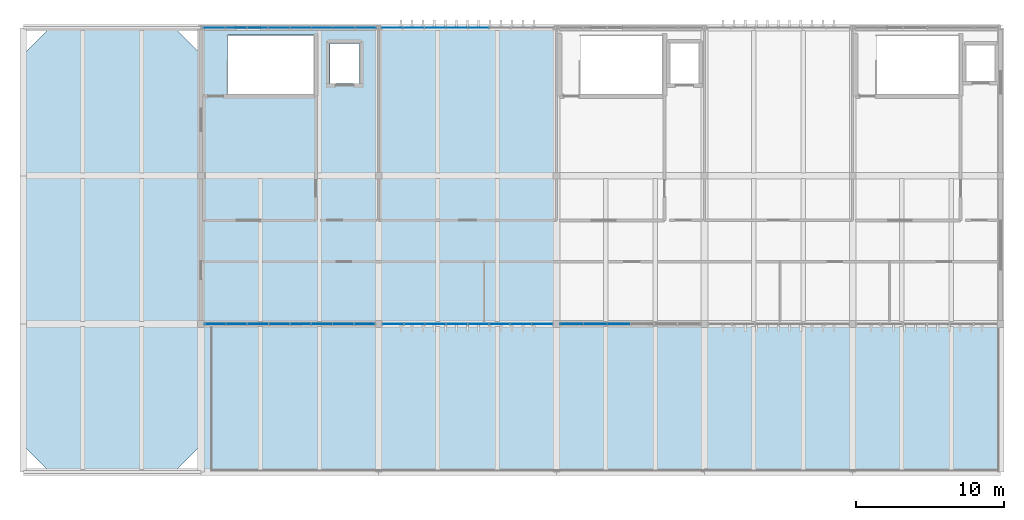
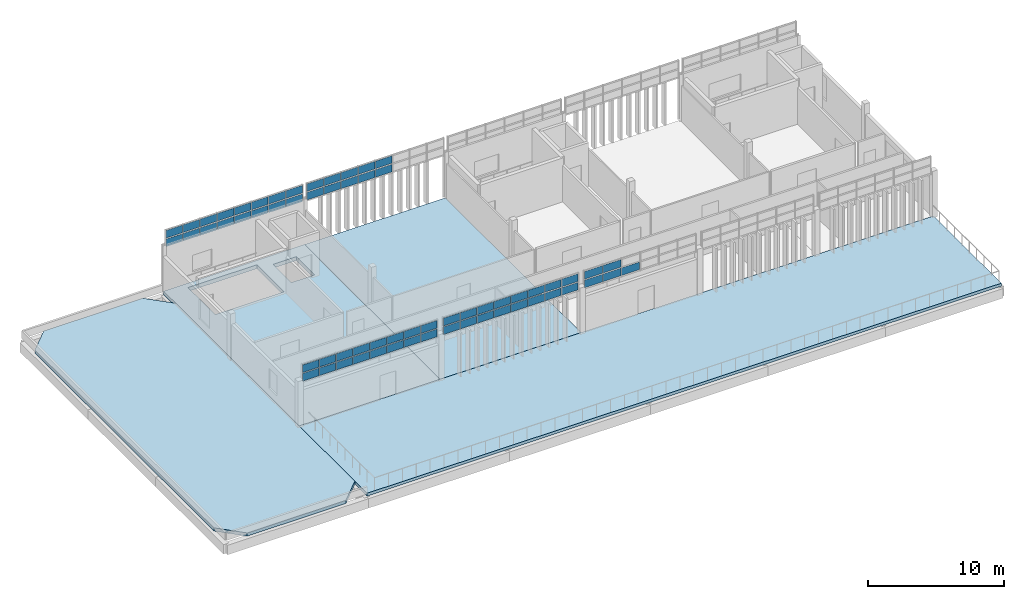
# One storey, part 31 of 36: 63 plates, 4 slabs, 5 elements without a shape of their own.
"""IFC4 building model written with IfcOpenShell, lengths in metres."""

from ifc_helpers import new_model, si_unit, direction, frame, origin, origin_2d, place, context, subcontext, project, spatial, polyline, rectangle, outline, extrude, material, layer, layer_set, type_object, element, aggregate, save


model = new_model("IFC4")

# Units and contexts
model_context = context("Model", 3, precision=1e-05, world=origin(), true_north=direction((0.0, 1.0)))
body_context = subcontext(model_context, "Body", "Model", "MODEL_VIEW")
ifc_project = project(units=[si_unit("LENGTHUNIT", "METRE"), si_unit("AREAUNIT", "SQUARE_METRE"), si_unit("VOLUMEUNIT", "CUBIC_METRE"), si_unit("PLANEANGLEUNIT", "RADIAN"), si_unit("MASSUNIT", "GRAM", prefix="KILO")], contexts=[model_context])

# Site, building, storey
site_placement = place(None, origin())
site = spatial("IfcSite", under=ifc_project, at=site_placement, CompositionType="ELEMENT")
building_placement = place(site_placement, origin())
building = spatial("IfcBuilding", under=site, at=building_placement, Name="Mersad Railyard Sports Hall", CompositionType="ELEMENT")
storey_placement = place(building_placement, frame((0.0, 0.0, 21.60009765625)))
storey = spatial("IfcBuildingStorey", under=building, at=storey_placement, Name="L05", CompositionType="ELEMENT", Elevation=21.60009765625)

# Curtain wall, plates
ifc_material_1 = material(Name="Aluminium 6063-T6", Category="aluminium")
ifc_layer_1 = layer(ifc_material_1, 0.159912109375)
ifc_layer_set_1 = layer_set([ifc_layer_1], Name="Aluminium 6063-T6")
curtain_wall_type_1 = type_object("IfcCurtainWallType", Name="ARC-CW-CW48", PredefinedType="USERDEFINED", material=ifc_layer_set_1)
curtain_wall_1_placement = place(storey_placement, origin())
curtain_wall_1 = element("IfcCurtainWall", 1, at=curtain_wall_1_placement, inside=storey, type_object=curtain_wall_type_1, Name="Curtain wall CW48-0128", ObjectType="CURTAIN WALL", PredefinedType="USERDEFINED")
ifc_material_2 = material(Name="Solar-control glass", Category="glass")
ifc_layer_2 = layer(ifc_material_2, 0.028076171875)
ifc_layer_set_2 = layer_set([ifc_layer_2], Name="Solar-control glass")
plate_type = type_object("IfcPlateType", Name="ARC-CW-PNL01", PredefinedType="CURTAIN_PANEL", material=ifc_layer_set_2)
plate_1_placement = place(storey_placement, frame((78.03564453125, 95.0, 3.934814453125), z_axis=(0.0, 0.0, 1.0), x_axis=(-1.0, 0.0, 0.0)))
plate_1 = element("IfcPlate", 2, at=plate_1_placement, type_object=plate_type, Name="CW48 Glazed panel 1-1", PredefinedType="CURTAIN_PANEL", context=body_context, shape_type="SweptSolid", body=[
    extrude(rectangle(XDim=1.394775390625, YDim=0.028076171875, at=origin_2d()), origin(), (0.0, 0.0, 1.0), 0.68505859375),
])
plate_2_placement = place(storey_placement, frame((78.03564453125, 95.0, 4.7099609375), z_axis=(0.0, 0.0, 1.0), x_axis=(-1.0, 0.0, 0.0)))
plate_2 = element("IfcPlate", 3, at=plate_2_placement, type_object=plate_type, Name="CW48 Glazed panel 1-2", PredefinedType="CURTAIN_PANEL", context=body_context, shape_type="SweptSolid", body=[
    extrude(rectangle(XDim=1.394775390625, YDim=0.028076171875, at=origin_2d()), origin(), (0.0, 0.0, 1.0), 0.68505859375),
])
plate_3_placement = place(storey_placement, frame((76.596923828125, 95.0, 3.934814453125), z_axis=(0.0, 0.0, 1.0), x_axis=(-1.0, 0.0, 0.0)))
plate_3 = element("IfcPlate", 4, at=plate_3_placement, type_object=plate_type, Name="CW48 Glazed panel 2-1", PredefinedType="CURTAIN_PANEL", context=body_context, shape_type="SweptSolid", body=[
    extrude(rectangle(XDim=1.394775390625, YDim=0.028076171875, at=origin_2d()), origin(), (0.0, 0.0, 1.0), 0.68505859375),
])
plate_4_placement = place(storey_placement, frame((76.596923828125, 95.0, 4.7099609375), z_axis=(0.0, 0.0, 1.0), x_axis=(-1.0, 0.0, 0.0)))
plate_4 = element("IfcPlate", 5, at=plate_4_placement, type_object=plate_type, Name="CW48 Glazed panel 2-2", PredefinedType="CURTAIN_PANEL", context=body_context, shape_type="SweptSolid", body=[
    extrude(rectangle(XDim=1.394775390625, YDim=0.028076171875, at=origin_2d()), origin(), (0.0, 0.0, 1.0), 0.68505859375),
])
plate_5_placement = place(storey_placement, frame((75.158203125, 95.0, 3.934814453125), z_axis=(0.0, 0.0, 1.0), x_axis=(-1.0, 0.0, 0.0)))
plate_5 = element("IfcPlate", 6, at=plate_5_placement, type_object=plate_type, Name="CW48 Glazed panel 3-1", PredefinedType="CURTAIN_PANEL", context=body_context, shape_type="SweptSolid", body=[
    extrude(rectangle(XDim=1.394775390625, YDim=0.028076171875, at=origin_2d()), origin(), (0.0, 0.0, 1.0), 0.68505859375),
])
plate_6_placement = place(storey_placement, frame((75.158203125, 95.0, 4.7099609375), z_axis=(0.0, 0.0, 1.0), x_axis=(-1.0, 0.0, 0.0)))
plate_6 = element("IfcPlate", 7, at=plate_6_placement, type_object=plate_type, Name="CW48 Glazed panel 3-2", PredefinedType="CURTAIN_PANEL", context=body_context, shape_type="SweptSolid", body=[
    extrude(rectangle(XDim=1.394775390625, YDim=0.028076171875, at=origin_2d()), origin(), (0.0, 0.0, 1.0), 0.68505859375),
])
plate_7_placement = place(storey_placement, frame((73.719482421875, 95.0, 3.934814453125), z_axis=(0.0, 0.0, 1.0), x_axis=(-1.0, 0.0, 0.0)))
plate_7 = element("IfcPlate", 8, at=plate_7_placement, type_object=plate_type, Name="CW48 Glazed panel 4-1", PredefinedType="CURTAIN_PANEL", context=body_context, shape_type="SweptSolid", body=[
    extrude(rectangle(XDim=1.394775390625, YDim=0.028076171875, at=origin_2d()), origin(), (0.0, 0.0, 1.0), 0.68505859375),
])
plate_8_placement = place(storey_placement, frame((73.719482421875, 95.0, 4.7099609375), z_axis=(0.0, 0.0, 1.0), x_axis=(-1.0, 0.0, 0.0)))
plate_8 = element("IfcPlate", 9, at=plate_8_placement, type_object=plate_type, Name="CW48 Glazed panel 4-2", PredefinedType="CURTAIN_PANEL", context=body_context, shape_type="SweptSolid", body=[
    extrude(rectangle(XDim=1.394775390625, YDim=0.028076171875, at=origin_2d()), origin(), (0.0, 0.0, 1.0), 0.68505859375),
])
plate_9_placement = place(storey_placement, frame((72.280517578125, 95.0, 3.934814453125), z_axis=(0.0, 0.0, 1.0), x_axis=(-1.0, 0.0, 0.0)))
plate_9 = element("IfcPlate", 10, at=plate_9_placement, type_object=plate_type, Name="CW48 Glazed panel 5-1", PredefinedType="CURTAIN_PANEL", context=body_context, shape_type="SweptSolid", body=[
    extrude(rectangle(XDim=1.394775390625, YDim=0.028076171875, at=origin_2d()), origin(), (0.0, 0.0, 1.0), 0.68505859375),
])
plate_10_placement = place(storey_placement, frame((72.280517578125, 95.0, 4.7099609375), z_axis=(0.0, 0.0, 1.0), x_axis=(-1.0, 0.0, 0.0)))
plate_10 = element("IfcPlate", 11, at=plate_10_placement, type_object=plate_type, Name="CW48 Glazed panel 5-2", PredefinedType="CURTAIN_PANEL", context=body_context, shape_type="SweptSolid", body=[
    extrude(rectangle(XDim=1.394775390625, YDim=0.028076171875, at=origin_2d()), origin(), (0.0, 0.0, 1.0), 0.68505859375),
])
plate_11_placement = place(storey_placement, frame((70.841796875, 95.0, 3.934814453125), z_axis=(0.0, 0.0, 1.0), x_axis=(-1.0, 0.0, 0.0)))
plate_11 = element("IfcPlate", 12, at=plate_11_placement, type_object=plate_type, Name="CW48 Glazed panel 6-1", PredefinedType="CURTAIN_PANEL", context=body_context, shape_type="SweptSolid", body=[
    extrude(rectangle(XDim=1.394775390625, YDim=0.028076171875, at=origin_2d()), origin(), (0.0, 0.0, 1.0), 0.68505859375),
])
plate_12_placement = place(storey_placement, frame((70.841796875, 95.0, 4.7099609375), z_axis=(0.0, 0.0, 1.0), x_axis=(-1.0, 0.0, 0.0)))
plate_12 = element("IfcPlate", 13, at=plate_12_placement, type_object=plate_type, Name="CW48 Glazed panel 6-2", PredefinedType="CURTAIN_PANEL", context=body_context, shape_type="SweptSolid", body=[
    extrude(rectangle(XDim=1.394775390625, YDim=0.028076171875, at=origin_2d()), origin(), (0.0, 0.0, 1.0), 0.68505859375),
])
plate_13_placement = place(storey_placement, frame((69.403076171875, 95.0, 3.934814453125), z_axis=(0.0, 0.0, 1.0), x_axis=(-1.0, 0.0, 0.0)))
plate_13 = element("IfcPlate", 14, at=plate_13_placement, type_object=plate_type, Name="CW48 Glazed panel 7-1", PredefinedType="CURTAIN_PANEL", context=body_context, shape_type="SweptSolid", body=[
    extrude(rectangle(XDim=1.394775390625, YDim=0.028076171875, at=origin_2d()), origin(), (0.0, 0.0, 1.0), 0.68505859375),
])
plate_14_placement = place(storey_placement, frame((69.403076171875, 95.0, 4.7099609375), z_axis=(0.0, 0.0, 1.0), x_axis=(-1.0, 0.0, 0.0)))
plate_14 = element("IfcPlate", 15, at=plate_14_placement, type_object=plate_type, Name="CW48 Glazed panel 7-2", PredefinedType="CURTAIN_PANEL", context=body_context, shape_type="SweptSolid", body=[
    extrude(rectangle(XDim=1.394775390625, YDim=0.028076171875, at=origin_2d()), origin(), (0.0, 0.0, 1.0), 0.68505859375),
])
plate_15_placement = place(storey_placement, frame((67.96435546875, 95.0, 3.934814453125), z_axis=(0.0, 0.0, 1.0), x_axis=(-1.0, 0.0, 0.0)))
plate_15 = element("IfcPlate", 16, at=plate_15_placement, type_object=plate_type, Name="CW48 Glazed panel 8-1", PredefinedType="CURTAIN_PANEL", context=body_context, shape_type="SweptSolid", body=[
    extrude(rectangle(XDim=1.394775390625, YDim=0.028076171875, at=origin_2d()), origin(), (0.0, 0.0, 1.0), 0.68505859375),
])
plate_16_placement = place(storey_placement, frame((67.96435546875, 95.0, 4.7099609375), z_axis=(0.0, 0.0, 1.0), x_axis=(-1.0, 0.0, 0.0)))
plate_16 = element("IfcPlate", 17, at=plate_16_placement, type_object=plate_type, Name="CW48 Glazed panel 8-2", PredefinedType="CURTAIN_PANEL", context=body_context, shape_type="SweptSolid", body=[
    extrude(rectangle(XDim=1.394775390625, YDim=0.028076171875, at=origin_2d()), origin(), (0.0, 0.0, 1.0), 0.68505859375),
])
aggregate(curtain_wall_1, [plate_1, plate_2, plate_3, plate_4, plate_5, plate_6, plate_7, plate_8, plate_9, plate_10, plate_11, plate_12, plate_13, plate_14, plate_15, plate_16])

ifc_layer_3 = layer(ifc_material_1, 0.159912109375)
ifc_layer_set_3 = layer_set([ifc_layer_3], Name="Aluminium 6063-T6")
curtain_wall_type_2 = type_object("IfcCurtainWallType", Name="ARC-CW-CW49", PredefinedType="USERDEFINED", material=ifc_layer_set_3)
curtain_wall_2_placement = place(storey_placement, origin())
curtain_wall_2 = element("IfcCurtainWall", 18, at=curtain_wall_2_placement, inside=storey, type_object=curtain_wall_type_2, Name="Curtain wall CW49-0129", ObjectType="CURTAIN WALL", PredefinedType="USERDEFINED")
plate_17_placement = place(storey_placement, frame((67.898681640625, 115.0, 3.934814453125), z_axis=(0.0, 0.0, 1.0), x_axis=(1.0, 0.0, 0.0)))
plate_17 = element("IfcPlate", 19, at=plate_17_placement, type_object=plate_type, Name="CW49 Glazed panel 1-1", PredefinedType="CURTAIN_PANEL", context=body_context, shape_type="SweptSolid", body=[
    extrude(rectangle(XDim=1.41357421875, YDim=0.028076171875, at=origin_2d()), origin(), (0.0, 0.0, 1.0), 0.68505859375),
])
plate_18_placement = place(storey_placement, frame((67.898681640625, 115.0, 4.7099609375), z_axis=(0.0, 0.0, 1.0), x_axis=(1.0, 0.0, 0.0)))
plate_18 = element("IfcPlate", 20, at=plate_18_placement, type_object=plate_type, Name="CW49 Glazed panel 1-2", PredefinedType="CURTAIN_PANEL", context=body_context, shape_type="SweptSolid", body=[
    extrude(rectangle(XDim=1.41357421875, YDim=0.028076171875, at=origin_2d()), origin(), (0.0, 0.0, 1.0), 0.68505859375),
])
plate_19_placement = place(storey_placement, frame((69.356201171875, 115.0, 3.934814453125), z_axis=(0.0, 0.0, 1.0), x_axis=(1.0, 0.0, 0.0)))
plate_19 = element("IfcPlate", 21, at=plate_19_placement, type_object=plate_type, Name="CW49 Glazed panel 2-1", PredefinedType="CURTAIN_PANEL", context=body_context, shape_type="SweptSolid", body=[
    extrude(rectangle(XDim=1.41357421875, YDim=0.028076171875, at=origin_2d()), origin(), (0.0, 0.0, 1.0), 0.68505859375),
])
plate_20_placement = place(storey_placement, frame((69.356201171875, 115.0, 4.7099609375), z_axis=(0.0, 0.0, 1.0), x_axis=(1.0, 0.0, 0.0)))
plate_20 = element("IfcPlate", 22, at=plate_20_placement, type_object=plate_type, Name="CW49 Glazed panel 2-2", PredefinedType="CURTAIN_PANEL", context=body_context, shape_type="SweptSolid", body=[
    extrude(rectangle(XDim=1.41357421875, YDim=0.028076171875, at=origin_2d()), origin(), (0.0, 0.0, 1.0), 0.68505859375),
])
plate_21_placement = place(storey_placement, frame((70.813720703125, 115.0, 3.934814453125), z_axis=(0.0, 0.0, 1.0), x_axis=(1.0, 0.0, 0.0)))
plate_21 = element("IfcPlate", 23, at=plate_21_placement, type_object=plate_type, Name="CW49 Glazed panel 3-1", PredefinedType="CURTAIN_PANEL", context=body_context, shape_type="SweptSolid", body=[
    extrude(rectangle(XDim=1.41357421875, YDim=0.028076171875, at=origin_2d()), origin(), (0.0, 0.0, 1.0), 0.68505859375),
])
plate_22_placement = place(storey_placement, frame((70.813720703125, 115.0, 4.7099609375), z_axis=(0.0, 0.0, 1.0), x_axis=(1.0, 0.0, 0.0)))
plate_22 = element("IfcPlate", 24, at=plate_22_placement, type_object=plate_type, Name="CW49 Glazed panel 3-2", PredefinedType="CURTAIN_PANEL", context=body_context, shape_type="SweptSolid", body=[
    extrude(rectangle(XDim=1.41357421875, YDim=0.028076171875, at=origin_2d()), origin(), (0.0, 0.0, 1.0), 0.68505859375),
])
plate_23_placement = place(storey_placement, frame((72.271240234375, 115.0, 3.934814453125), z_axis=(0.0, 0.0, 1.0), x_axis=(1.0, 0.0, 0.0)))
plate_23 = element("IfcPlate", 25, at=plate_23_placement, type_object=plate_type, Name="CW49 Glazed panel 4-1", PredefinedType="CURTAIN_PANEL", context=body_context, shape_type="SweptSolid", body=[
    extrude(rectangle(XDim=1.41357421875, YDim=0.028076171875, at=origin_2d()), origin(), (0.0, 0.0, 1.0), 0.68505859375),
])
plate_24_placement = place(storey_placement, frame((72.271240234375, 115.0, 4.7099609375), z_axis=(0.0, 0.0, 1.0), x_axis=(1.0, 0.0, 0.0)))
plate_24 = element("IfcPlate", 26, at=plate_24_placement, type_object=plate_type, Name="CW49 Glazed panel 4-2", PredefinedType="CURTAIN_PANEL", context=body_context, shape_type="SweptSolid", body=[
    extrude(rectangle(XDim=1.41357421875, YDim=0.028076171875, at=origin_2d()), origin(), (0.0, 0.0, 1.0), 0.68505859375),
])
plate_25_placement = place(storey_placement, frame((73.728759765625, 115.0, 3.934814453125), z_axis=(0.0, 0.0, 1.0), x_axis=(1.0, 0.0, 0.0)))
plate_25 = element("IfcPlate", 27, at=plate_25_placement, type_object=plate_type, Name="CW49 Glazed panel 5-1", PredefinedType="CURTAIN_PANEL", context=body_context, shape_type="SweptSolid", body=[
    extrude(rectangle(XDim=1.41357421875, YDim=0.028076171875, at=origin_2d()), origin(), (0.0, 0.0, 1.0), 0.68505859375),
])
plate_26_placement = place(storey_placement, frame((73.728759765625, 115.0, 4.7099609375), z_axis=(0.0, 0.0, 1.0), x_axis=(1.0, 0.0, 0.0)))
plate_26 = element("IfcPlate", 28, at=plate_26_placement, type_object=plate_type, Name="CW49 Glazed panel 5-2", PredefinedType="CURTAIN_PANEL", context=body_context, shape_type="SweptSolid", body=[
    extrude(rectangle(XDim=1.41357421875, YDim=0.028076171875, at=origin_2d()), origin(), (0.0, 0.0, 1.0), 0.68505859375),
])
plate_27_placement = place(storey_placement, frame((75.186279296875, 115.0, 3.934814453125), z_axis=(0.0, 0.0, 1.0), x_axis=(1.0, 0.0, 0.0)))
plate_27 = element("IfcPlate", 29, at=plate_27_placement, type_object=plate_type, Name="CW49 Glazed panel 6-1", PredefinedType="CURTAIN_PANEL", context=body_context, shape_type="SweptSolid", body=[
    extrude(rectangle(XDim=1.41357421875, YDim=0.028076171875, at=origin_2d()), origin(), (0.0, 0.0, 1.0), 0.68505859375),
])
plate_28_placement = place(storey_placement, frame((75.186279296875, 115.0, 4.7099609375), z_axis=(0.0, 0.0, 1.0), x_axis=(1.0, 0.0, 0.0)))
plate_28 = element("IfcPlate", 30, at=plate_28_placement, type_object=plate_type, Name="CW49 Glazed panel 6-2", PredefinedType="CURTAIN_PANEL", context=body_context, shape_type="SweptSolid", body=[
    extrude(rectangle(XDim=1.41357421875, YDim=0.028076171875, at=origin_2d()), origin(), (0.0, 0.0, 1.0), 0.68505859375),
])
plate_29_placement = place(storey_placement, frame((76.643798828125, 115.0, 3.934814453125), z_axis=(0.0, 0.0, 1.0), x_axis=(1.0, 0.0, 0.0)))
plate_29 = element("IfcPlate", 31, at=plate_29_placement, type_object=plate_type, Name="CW49 Glazed panel 7-1", PredefinedType="CURTAIN_PANEL", context=body_context, shape_type="SweptSolid", body=[
    extrude(rectangle(XDim=1.41357421875, YDim=0.028076171875, at=origin_2d()), origin(), (0.0, 0.0, 1.0), 0.68505859375),
])
plate_30_placement = place(storey_placement, frame((76.643798828125, 115.0, 4.7099609375), z_axis=(0.0, 0.0, 1.0), x_axis=(1.0, 0.0, 0.0)))
plate_30 = element("IfcPlate", 32, at=plate_30_placement, type_object=plate_type, Name="CW49 Glazed panel 7-2", PredefinedType="CURTAIN_PANEL", context=body_context, shape_type="SweptSolid", body=[
    extrude(rectangle(XDim=1.41357421875, YDim=0.028076171875, at=origin_2d()), origin(), (0.0, 0.0, 1.0), 0.68505859375),
])
plate_31_placement = place(storey_placement, frame((78.101318359375, 115.0, 3.934814453125), z_axis=(0.0, 0.0, 1.0), x_axis=(1.0, 0.0, 0.0)))
plate_31 = element("IfcPlate", 33, at=plate_31_placement, type_object=plate_type, Name="CW49 Glazed panel 8-1", PredefinedType="CURTAIN_PANEL", context=body_context, shape_type="SweptSolid", body=[
    extrude(rectangle(XDim=1.41357421875, YDim=0.028076171875, at=origin_2d()), origin(), (0.0, 0.0, 1.0), 0.68505859375),
])
plate_32_placement = place(storey_placement, frame((78.101318359375, 115.0, 4.7099609375), z_axis=(0.0, 0.0, 1.0), x_axis=(1.0, 0.0, 0.0)))
plate_32 = element("IfcPlate", 34, at=plate_32_placement, type_object=plate_type, Name="CW49 Glazed panel 8-2", PredefinedType="CURTAIN_PANEL", context=body_context, shape_type="SweptSolid", body=[
    extrude(rectangle(XDim=1.41357421875, YDim=0.028076171875, at=origin_2d()), origin(), (0.0, 0.0, 1.0), 0.68505859375),
])
aggregate(curtain_wall_2, [plate_17, plate_18, plate_19, plate_20, plate_21, plate_22, plate_23, plate_24, plate_25, plate_26, plate_27, plate_28, plate_29, plate_30, plate_31, plate_32])

curtain_wall_3_placement = place(storey_placement, origin())
curtain_wall_3 = element("IfcCurtainWall", 35, at=curtain_wall_3_placement, inside=storey, type_object=curtain_wall_type_1, Name="Curtain wall CW48-0130", ObjectType="CURTAIN WALL", PredefinedType="USERDEFINED")
plate_33_placement = place(storey_placement, frame((90.03564453125, 95.0, 3.934814453125), z_axis=(0.0, 0.0, 1.0), x_axis=(-1.0, 0.0, 0.0)))
plate_33 = element("IfcPlate", 36, at=plate_33_placement, type_object=plate_type, Name="CW48 Glazed panel 1-1", PredefinedType="CURTAIN_PANEL", context=body_context, shape_type="SweptSolid", body=[
    extrude(rectangle(XDim=1.394775390625, YDim=0.028076171875, at=origin_2d()), origin(), (0.0, 0.0, 1.0), 0.68505859375),
])
plate_34_placement = place(storey_placement, frame((90.03564453125, 95.0, 4.7099609375), z_axis=(0.0, 0.0, 1.0), x_axis=(-1.0, 0.0, 0.0)))
plate_34 = element("IfcPlate", 37, at=plate_34_placement, type_object=plate_type, Name="CW48 Glazed panel 1-2", PredefinedType="CURTAIN_PANEL", context=body_context, shape_type="SweptSolid", body=[
    extrude(rectangle(XDim=1.394775390625, YDim=0.028076171875, at=origin_2d()), origin(), (0.0, 0.0, 1.0), 0.68505859375),
])
plate_35_placement = place(storey_placement, frame((88.596923828125, 95.0, 3.934814453125), z_axis=(0.0, 0.0, 1.0), x_axis=(-1.0, 0.0, 0.0)))
plate_35 = element("IfcPlate", 38, at=plate_35_placement, type_object=plate_type, Name="CW48 Glazed panel 2-1", PredefinedType="CURTAIN_PANEL", context=body_context, shape_type="SweptSolid", body=[
    extrude(rectangle(XDim=1.394775390625, YDim=0.028076171875, at=origin_2d()), origin(), (0.0, 0.0, 1.0), 0.68505859375),
])
plate_36_placement = place(storey_placement, frame((88.596923828125, 95.0, 4.7099609375), z_axis=(0.0, 0.0, 1.0), x_axis=(-1.0, 0.0, 0.0)))
plate_36 = element("IfcPlate", 39, at=plate_36_placement, type_object=plate_type, Name="CW48 Glazed panel 2-2", PredefinedType="CURTAIN_PANEL", context=body_context, shape_type="SweptSolid", body=[
    extrude(rectangle(XDim=1.394775390625, YDim=0.028076171875, at=origin_2d()), origin(), (0.0, 0.0, 1.0), 0.68505859375),
])
plate_37_placement = place(storey_placement, frame((87.158203125, 95.0, 3.934814453125), z_axis=(0.0, 0.0, 1.0), x_axis=(-1.0, 0.0, 0.0)))
plate_37 = element("IfcPlate", 40, at=plate_37_placement, type_object=plate_type, Name="CW48 Glazed panel 3-1", PredefinedType="CURTAIN_PANEL", context=body_context, shape_type="SweptSolid", body=[
    extrude(rectangle(XDim=1.394775390625, YDim=0.028076171875, at=origin_2d()), origin(), (0.0, 0.0, 1.0), 0.68505859375),
])
plate_38_placement = place(storey_placement, frame((87.158203125, 95.0, 4.7099609375), z_axis=(0.0, 0.0, 1.0), x_axis=(-1.0, 0.0, 0.0)))
plate_38 = element("IfcPlate", 41, at=plate_38_placement, type_object=plate_type, Name="CW48 Glazed panel 3-2", PredefinedType="CURTAIN_PANEL", context=body_context, shape_type="SweptSolid", body=[
    extrude(rectangle(XDim=1.394775390625, YDim=0.028076171875, at=origin_2d()), origin(), (0.0, 0.0, 1.0), 0.68505859375),
])
plate_39_placement = place(storey_placement, frame((85.719482421875, 95.0, 3.934814453125), z_axis=(0.0, 0.0, 1.0), x_axis=(-1.0, 0.0, 0.0)))
plate_39 = element("IfcPlate", 42, at=plate_39_placement, type_object=plate_type, Name="CW48 Glazed panel 4-1", PredefinedType="CURTAIN_PANEL", context=body_context, shape_type="SweptSolid", body=[
    extrude(rectangle(XDim=1.394775390625, YDim=0.028076171875, at=origin_2d()), origin(), (0.0, 0.0, 1.0), 0.68505859375),
])
plate_40_placement = place(storey_placement, frame((85.719482421875, 95.0, 4.7099609375), z_axis=(0.0, 0.0, 1.0), x_axis=(-1.0, 0.0, 0.0)))
plate_40 = element("IfcPlate", 43, at=plate_40_placement, type_object=plate_type, Name="CW48 Glazed panel 4-2", PredefinedType="CURTAIN_PANEL", context=body_context, shape_type="SweptSolid", body=[
    extrude(rectangle(XDim=1.394775390625, YDim=0.028076171875, at=origin_2d()), origin(), (0.0, 0.0, 1.0), 0.68505859375),
])
plate_41_placement = place(storey_placement, frame((84.280517578125, 95.0, 3.934814453125), z_axis=(0.0, 0.0, 1.0), x_axis=(-1.0, 0.0, 0.0)))
plate_41 = element("IfcPlate", 44, at=plate_41_placement, type_object=plate_type, Name="CW48 Glazed panel 5-1", PredefinedType="CURTAIN_PANEL", context=body_context, shape_type="SweptSolid", body=[
    extrude(rectangle(XDim=1.394775390625, YDim=0.028076171875, at=origin_2d()), origin(), (0.0, 0.0, 1.0), 0.68505859375),
])
plate_42_placement = place(storey_placement, frame((84.280517578125, 95.0, 4.7099609375), z_axis=(0.0, 0.0, 1.0), x_axis=(-1.0, 0.0, 0.0)))
plate_42 = element("IfcPlate", 45, at=plate_42_placement, type_object=plate_type, Name="CW48 Glazed panel 5-2", PredefinedType="CURTAIN_PANEL", context=body_context, shape_type="SweptSolid", body=[
    extrude(rectangle(XDim=1.394775390625, YDim=0.028076171875, at=origin_2d()), origin(), (0.0, 0.0, 1.0), 0.68505859375),
])
plate_43_placement = place(storey_placement, frame((82.841796875, 95.0, 3.934814453125), z_axis=(0.0, 0.0, 1.0), x_axis=(-1.0, 0.0, 0.0)))
plate_43 = element("IfcPlate", 46, at=plate_43_placement, type_object=plate_type, Name="CW48 Glazed panel 6-1", PredefinedType="CURTAIN_PANEL", context=body_context, shape_type="SweptSolid", body=[
    extrude(rectangle(XDim=1.394775390625, YDim=0.028076171875, at=origin_2d()), origin(), (0.0, 0.0, 1.0), 0.68505859375),
])
plate_44_placement = place(storey_placement, frame((82.841796875, 95.0, 4.7099609375), z_axis=(0.0, 0.0, 1.0), x_axis=(-1.0, 0.0, 0.0)))
plate_44 = element("IfcPlate", 47, at=plate_44_placement, type_object=plate_type, Name="CW48 Glazed panel 6-2", PredefinedType="CURTAIN_PANEL", context=body_context, shape_type="SweptSolid", body=[
    extrude(rectangle(XDim=1.394775390625, YDim=0.028076171875, at=origin_2d()), origin(), (0.0, 0.0, 1.0), 0.68505859375),
])
plate_45_placement = place(storey_placement, frame((81.403076171875, 95.0, 3.934814453125), z_axis=(0.0, 0.0, 1.0), x_axis=(-1.0, 0.0, 0.0)))
plate_45 = element("IfcPlate", 48, at=plate_45_placement, type_object=plate_type, Name="CW48 Glazed panel 7-1", PredefinedType="CURTAIN_PANEL", context=body_context, shape_type="SweptSolid", body=[
    extrude(rectangle(XDim=1.394775390625, YDim=0.028076171875, at=origin_2d()), origin(), (0.0, 0.0, 1.0), 0.68505859375),
])
plate_46_placement = place(storey_placement, frame((81.403076171875, 95.0, 4.7099609375), z_axis=(0.0, 0.0, 1.0), x_axis=(-1.0, 0.0, 0.0)))
plate_46 = element("IfcPlate", 49, at=plate_46_placement, type_object=plate_type, Name="CW48 Glazed panel 7-2", PredefinedType="CURTAIN_PANEL", context=body_context, shape_type="SweptSolid", body=[
    extrude(rectangle(XDim=1.394775390625, YDim=0.028076171875, at=origin_2d()), origin(), (0.0, 0.0, 1.0), 0.68505859375),
])
plate_47_placement = place(storey_placement, frame((79.96435546875, 95.0, 3.934814453125), z_axis=(0.0, 0.0, 1.0), x_axis=(-1.0, 0.0, 0.0)))
plate_47 = element("IfcPlate", 50, at=plate_47_placement, type_object=plate_type, Name="CW48 Glazed panel 8-1", PredefinedType="CURTAIN_PANEL", context=body_context, shape_type="SweptSolid", body=[
    extrude(rectangle(XDim=1.394775390625, YDim=0.028076171875, at=origin_2d()), origin(), (0.0, 0.0, 1.0), 0.68505859375),
])
plate_48_placement = place(storey_placement, frame((79.96435546875, 95.0, 4.7099609375), z_axis=(0.0, 0.0, 1.0), x_axis=(-1.0, 0.0, 0.0)))
plate_48 = element("IfcPlate", 51, at=plate_48_placement, type_object=plate_type, Name="CW48 Glazed panel 8-2", PredefinedType="CURTAIN_PANEL", context=body_context, shape_type="SweptSolid", body=[
    extrude(rectangle(XDim=1.394775390625, YDim=0.028076171875, at=origin_2d()), origin(), (0.0, 0.0, 1.0), 0.68505859375),
])
aggregate(curtain_wall_3, [plate_33, plate_34, plate_35, plate_36, plate_37, plate_38, plate_39, plate_40, plate_41, plate_42, plate_43, plate_44, plate_45, plate_46, plate_47, plate_48])

curtain_wall_4_placement = place(storey_placement, origin())
curtain_wall_4 = element("IfcCurtainWall", 52, at=curtain_wall_4_placement, inside=storey, type_object=curtain_wall_type_2, Name="Curtain wall CW49-0131", ObjectType="CURTAIN WALL", PredefinedType="USERDEFINED")
plate_49_placement = place(storey_placement, frame((79.898681640625, 115.0, 3.934814453125), z_axis=(0.0, 0.0, 1.0), x_axis=(1.0, 0.0, 0.0)))
plate_49 = element("IfcPlate", 53, at=plate_49_placement, type_object=plate_type, Name="CW49 Glazed panel 1-1", PredefinedType="CURTAIN_PANEL", context=body_context, shape_type="SweptSolid", body=[
    extrude(rectangle(XDim=1.41357421875, YDim=0.028076171875, at=origin_2d()), origin(), (0.0, 0.0, 1.0), 0.68505859375),
])
plate_50_placement = place(storey_placement, frame((79.898681640625, 115.0, 4.7099609375), z_axis=(0.0, 0.0, 1.0), x_axis=(1.0, 0.0, 0.0)))
plate_50 = element("IfcPlate", 54, at=plate_50_placement, type_object=plate_type, Name="CW49 Glazed panel 1-2", PredefinedType="CURTAIN_PANEL", context=body_context, shape_type="SweptSolid", body=[
    extrude(rectangle(XDim=1.41357421875, YDim=0.028076171875, at=origin_2d()), origin(), (0.0, 0.0, 1.0), 0.68505859375),
])
plate_51_placement = place(storey_placement, frame((81.356201171875, 115.0, 3.934814453125), z_axis=(0.0, 0.0, 1.0), x_axis=(1.0, 0.0, 0.0)))
plate_51 = element("IfcPlate", 55, at=plate_51_placement, type_object=plate_type, Name="CW49 Glazed panel 2-1", PredefinedType="CURTAIN_PANEL", context=body_context, shape_type="SweptSolid", body=[
    extrude(rectangle(XDim=1.41357421875, YDim=0.028076171875, at=origin_2d()), origin(), (0.0, 0.0, 1.0), 0.68505859375),
])
plate_52_placement = place(storey_placement, frame((81.356201171875, 115.0, 4.7099609375), z_axis=(0.0, 0.0, 1.0), x_axis=(1.0, 0.0, 0.0)))
plate_52 = element("IfcPlate", 56, at=plate_52_placement, type_object=plate_type, Name="CW49 Glazed panel 2-2", PredefinedType="CURTAIN_PANEL", context=body_context, shape_type="SweptSolid", body=[
    extrude(rectangle(XDim=1.41357421875, YDim=0.028076171875, at=origin_2d()), origin(), (0.0, 0.0, 1.0), 0.68505859375),
])
plate_53_placement = place(storey_placement, frame((82.813720703125, 115.0, 3.934814453125), z_axis=(0.0, 0.0, 1.0), x_axis=(1.0, 0.0, 0.0)))
plate_53 = element("IfcPlate", 57, at=plate_53_placement, type_object=plate_type, Name="CW49 Glazed panel 3-1", PredefinedType="CURTAIN_PANEL", context=body_context, shape_type="SweptSolid", body=[
    extrude(rectangle(XDim=1.41357421875, YDim=0.028076171875, at=origin_2d()), origin(), (0.0, 0.0, 1.0), 0.68505859375),
])
plate_54_placement = place(storey_placement, frame((82.813720703125, 115.0, 4.7099609375), z_axis=(0.0, 0.0, 1.0), x_axis=(1.0, 0.0, 0.0)))
plate_54 = element("IfcPlate", 58, at=plate_54_placement, type_object=plate_type, Name="CW49 Glazed panel 3-2", PredefinedType="CURTAIN_PANEL", context=body_context, shape_type="SweptSolid", body=[
    extrude(rectangle(XDim=1.41357421875, YDim=0.028076171875, at=origin_2d()), origin(), (0.0, 0.0, 1.0), 0.68505859375),
])
plate_55_placement = place(storey_placement, frame((84.271240234375, 115.0, 3.934814453125), z_axis=(0.0, 0.0, 1.0), x_axis=(1.0, 0.0, 0.0)))
plate_55 = element("IfcPlate", 59, at=plate_55_placement, type_object=plate_type, Name="CW49 Glazed panel 4-1", PredefinedType="CURTAIN_PANEL", context=body_context, shape_type="SweptSolid", body=[
    extrude(rectangle(XDim=1.41357421875, YDim=0.028076171875, at=origin_2d()), origin(), (0.0, 0.0, 1.0), 0.68505859375),
])
plate_56_placement = place(storey_placement, frame((84.271240234375, 115.0, 4.7099609375), z_axis=(0.0, 0.0, 1.0), x_axis=(1.0, 0.0, 0.0)))
plate_56 = element("IfcPlate", 60, at=plate_56_placement, type_object=plate_type, Name="CW49 Glazed panel 4-2", PredefinedType="CURTAIN_PANEL", context=body_context, shape_type="SweptSolid", body=[
    extrude(rectangle(XDim=1.41357421875, YDim=0.028076171875, at=origin_2d()), origin(), (0.0, 0.0, 1.0), 0.68505859375),
])
plate_57_placement = place(storey_placement, frame((85.728759765625, 115.0, 3.934814453125), z_axis=(0.0, 0.0, 1.0), x_axis=(1.0, 0.0, 0.0)))
plate_57 = element("IfcPlate", 61, at=plate_57_placement, type_object=plate_type, Name="CW49 Glazed panel 5-1", PredefinedType="CURTAIN_PANEL", context=body_context, shape_type="SweptSolid", body=[
    extrude(rectangle(XDim=1.41357421875, YDim=0.028076171875, at=origin_2d()), origin(), (0.0, 0.0, 1.0), 0.68505859375),
])
plate_58_placement = place(storey_placement, frame((85.728759765625, 115.0, 4.7099609375), z_axis=(0.0, 0.0, 1.0), x_axis=(1.0, 0.0, 0.0)))
plate_58 = element("IfcPlate", 62, at=plate_58_placement, type_object=plate_type, Name="CW49 Glazed panel 5-2", PredefinedType="CURTAIN_PANEL", context=body_context, shape_type="SweptSolid", body=[
    extrude(rectangle(XDim=1.41357421875, YDim=0.028076171875, at=origin_2d()), origin(), (0.0, 0.0, 1.0), 0.68505859375),
])
aggregate(curtain_wall_4, [plate_49, plate_50, plate_51, plate_52, plate_53, plate_54, plate_55, plate_56, plate_57, plate_58])

ifc_layer_4 = layer(ifc_material_1, 0.159912109375)
ifc_layer_set_4 = layer_set([ifc_layer_4], Name="Aluminium 6063-T6")
curtain_wall_type_3 = type_object("IfcCurtainWallType", Name="ARC-CW-CW50", PredefinedType="USERDEFINED", material=ifc_layer_set_4)
curtain_wall_5_placement = place(storey_placement, origin())
curtain_wall_5 = element("IfcCurtainWall", 63, at=curtain_wall_5_placement, inside=storey, type_object=curtain_wall_type_3, Name="Curtain wall CW50-0132", ObjectType="CURTAIN WALL", PredefinedType="USERDEFINED")
plate_59_placement = place(storey_placement, frame((95.20751953125, 95.0, 3.934814453125), z_axis=(0.0, 0.0, 1.0), x_axis=(-1.0, 0.0, 0.0)))
plate_59 = element("IfcPlate", 64, at=plate_59_placement, type_object=plate_type, Name="CW50 Glazed panel 4-1", PredefinedType="CURTAIN_PANEL", context=body_context, shape_type="SweptSolid", body=[
    extrude(rectangle(XDim=1.541015625, YDim=0.028076171875, at=origin_2d()), origin(), (0.0, 0.0, 1.0), 0.68505859375),
])
plate_60_placement = place(storey_placement, frame((93.62255859375, 95.0, 3.934814453125), z_axis=(0.0, 0.0, 1.0), x_axis=(-1.0, 0.0, 0.0)))
plate_60 = element("IfcPlate", 65, at=plate_60_placement, type_object=plate_type, Name="CW50 Glazed panel 5-1", PredefinedType="CURTAIN_PANEL", context=body_context, shape_type="SweptSolid", body=[
    extrude(rectangle(XDim=1.541015625, YDim=0.028076171875, at=origin_2d()), origin(), (0.0, 0.0, 1.0), 0.68505859375),
])
plate_61_placement = place(storey_placement, frame((93.62255859375, 95.0, 4.7099609375), z_axis=(0.0, 0.0, 1.0), x_axis=(-1.0, 0.0, 0.0)))
plate_61 = element("IfcPlate", 66, at=plate_61_placement, type_object=plate_type, Name="CW50 Glazed panel 5-2", PredefinedType="CURTAIN_PANEL", context=body_context, shape_type="SweptSolid", body=[
    extrude(rectangle(XDim=1.541015625, YDim=0.028076171875, at=origin_2d()), origin(), (0.0, 0.0, 1.0), 0.68505859375),
])
plate_62_placement = place(storey_placement, frame((92.03759765625, 95.0, 3.934814453125), z_axis=(0.0, 0.0, 1.0), x_axis=(-1.0, 0.0, 0.0)))
plate_62 = element("IfcPlate", 67, at=plate_62_placement, type_object=plate_type, Name="CW50 Glazed panel 6-1", PredefinedType="CURTAIN_PANEL", context=body_context, shape_type="SweptSolid", body=[
    extrude(rectangle(XDim=1.541015625, YDim=0.028076171875, at=origin_2d()), origin(), (0.0, 0.0, 1.0), 0.68505859375),
])
plate_63_placement = place(storey_placement, frame((92.03759765625, 95.0, 4.7099609375), z_axis=(0.0, 0.0, 1.0), x_axis=(-1.0, 0.0, 0.0)))
plate_63 = element("IfcPlate", 68, at=plate_63_placement, type_object=plate_type, Name="CW50 Glazed panel 6-2", PredefinedType="CURTAIN_PANEL", context=body_context, shape_type="SweptSolid", body=[
    extrude(rectangle(XDim=1.541015625, YDim=0.028076171875, at=origin_2d()), origin(), (0.0, 0.0, 1.0), 0.68505859375),
])
aggregate(curtain_wall_5, [plate_59, plate_60, plate_61, plate_62, plate_63])

# Slabs
ifc_material_3 = material(Name="Concrete C50/60", Category="concrete")
ifc_layer_5 = layer(ifc_material_3, 0.35009765625)
ifc_layer_set_5 = layer_set([ifc_layer_5], Name="Concrete C50/60")
slab_type_1 = type_object("IfcSlabType", Name="STR-SL-FL05", PredefinedType="FLOOR", material=ifc_layer_set_5)
slab_1_placement = place(storey_placement, frame((0.0, 0.0, -0.35009765625)))
element("IfcSlab", 69, at=slab_1_placement, inside=storey, type_object=slab_type_1, Name="Slab SL05-0128", PredefinedType="FLOOR", context=body_context, shape_type="SweptSolid", body=[
    extrude(outline(polyline([(67.0, 95.0), (79.0, 95.0), (79.0, 115.0), (67.0, 115.0), (67.0, 95.0)]), holes=[polyline([(68.7900390625, 110.5), (74.64990234375, 110.5), (74.64990234375, 114.5), (68.7900390625, 114.5), (68.7900390625, 110.5)]), polyline([(75.699951171875, 111.25), (77.699951171875, 111.25), (77.699951171875, 113.949951171875), (75.699951171875, 113.949951171875), (75.699951171875, 111.25)])]), origin(), (0.0, 0.0, 1.0), 0.35009765625),
])
slab_2_placement = place(storey_placement, frame((0.0, 0.0, -0.35009765625)))
element("IfcSlab", 70, at=slab_2_placement, inside=storey, type_object=slab_type_1, Name="Slab SL05-0129", PredefinedType="FLOOR", context=body_context, shape_type="SweptSolid", body=[
    extrude(outline(polyline([(79.0, 95.0), (91.0, 95.0), (91.0, 115.0), (79.0, 115.0), (79.0, 95.0)])), origin(), (0.0, 0.0, 1.0), 0.35009765625),
])
ifc_material_4 = material(Name="Architectural concrete C40/50", Category="concrete")
ifc_layer_6 = layer(ifc_material_4, 0.2900390625)
ifc_layer_set_6 = layer_set([ifc_layer_6], Name="Architectural concrete C40/50")
slab_type_2 = type_object("IfcSlabType", Name="STR-SL-RF03", PredefinedType="ROOF", material=ifc_layer_set_6)
slab_3_placement = place(storey_placement, frame((0.0, 0.0, -0.2900390625)))
element("IfcSlab", 71, at=slab_3_placement, inside=storey, type_object=slab_type_2, Name="Slab RS03-0133", PredefinedType="ROOF", context=body_context, shape_type="SweptSolid", body=[
    extrude(outline(polyline([(56.800048828125, 85.0), (65.199951171875, 85.0), (67.0, 86.800048828125), (67.0, 113.199951171875), (65.199951171875, 115.0), (56.800048828125, 115.0), (55.0, 113.199951171875), (55.0, 86.800048828125), (56.800048828125, 85.0)])), origin(), (0.0, 0.0, 1.0), 0.2900390625),
])
ifc_material_5 = material(Name="Concrete C40/50", Category="concrete")
ifc_layer_7 = layer(ifc_material_5, 0.260009765625)
ifc_layer_set_7 = layer_set([ifc_layer_7], Name="Concrete C40/50")
slab_type_3 = type_object("IfcSlabType", Name="STR-SL-TR02", PredefinedType="FLOOR", material=ifc_layer_set_7)
slab_4_placement = place(storey_placement, frame((0.0, 0.0, -0.260009765625)))
element("IfcSlab", 72, at=slab_4_placement, inside=storey, type_object=slab_type_3, Name="Slab TR02-0134", PredefinedType="FLOOR", context=body_context, shape_type="SweptSolid", body=[
    extrude(outline(polyline([(67.0, 85.0), (121.0, 85.0), (121.0, 95.0), (67.0, 95.0), (67.0, 85.0)])), origin(), (0.0, 0.0, 1.0), 0.260009765625),
])

save(model, "model.ifc")
